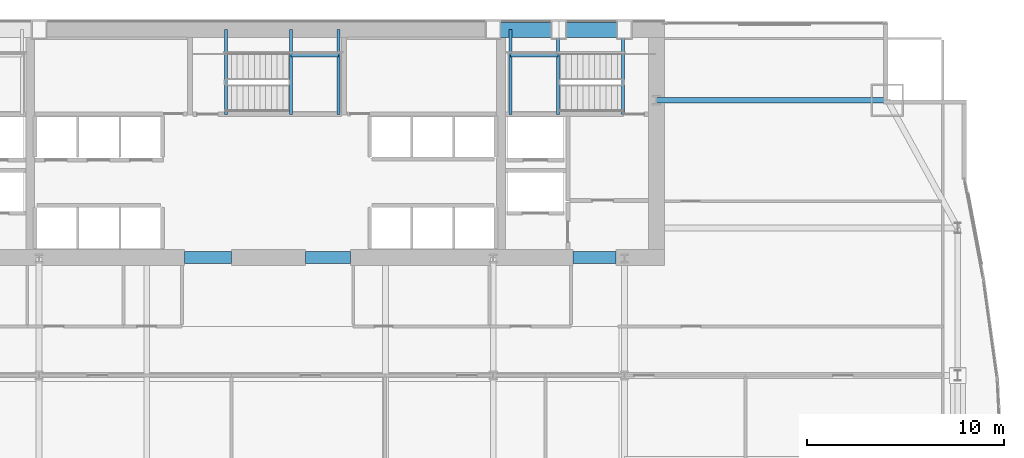
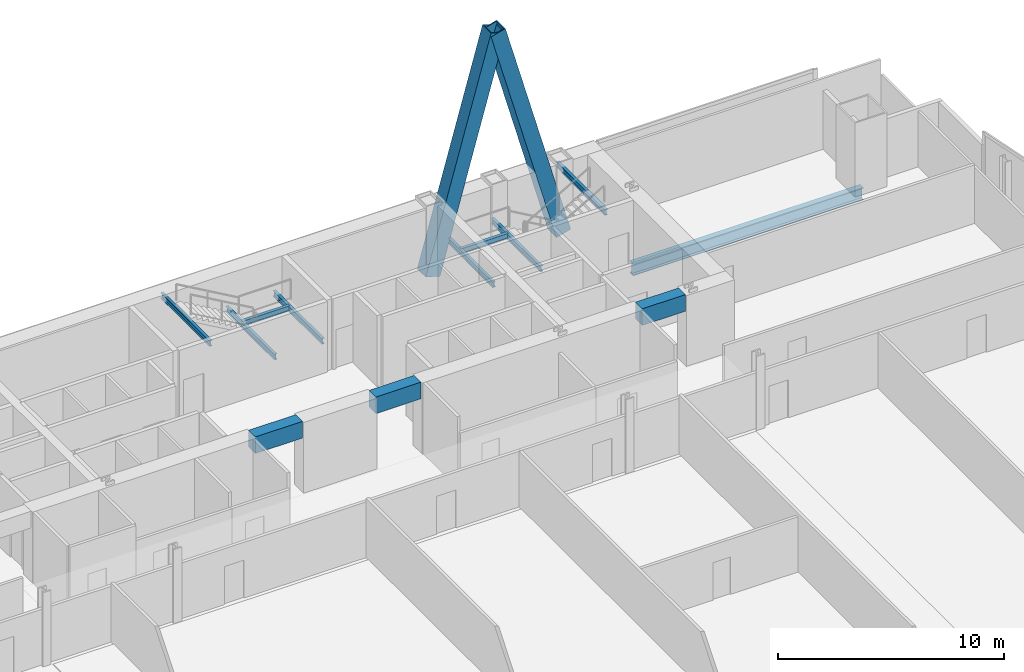
# One storey, part 19 of 37: 12 beams, 2 members.
"""IFC4 building model written with IfcOpenShell, lengths in metres."""

import ifcopenshell
import ifcopenshell.guid

model = None  # the IFC model being written
_history = None  # IfcOwnerHistory: only IFC2X3 demands one
_inside = {}  # id of a spatial element -> (the spatial element, [elements in it])
_under = {}  # id of a project, library or spatial element -> (it, [spatial elements below it])
_declared = {}  # id of a project -> (the project, [libraries it declares])
_typed = {}  # id of a type object -> (the type object, [elements of that type])
_made_of = {}  # id of a material, layer set ... -> (it, [elements and type objects made of it])


def new_model(schema):
    """Start an empty IFC model of exactly this schema.

    Asked for "IFC4X3", IfcOpenShell would pick the latest addendum, in which some entities
    have other attributes; the version numbers below select the first issue.
    IFC2X3 requires an IfcOwnerHistory on every rooted entity: one is made here for all.
    """
    global model, _history
    if schema == "IFC4X3":
        model = ifcopenshell.file(schema_version=(4, 3, 0, 0))
    else:
        model = ifcopenshell.file(schema=schema)
    _inside.clear()
    _under.clear()
    _declared.clear()
    _typed.clear()
    _made_of.clear()
    _history = None
    if model.schema == "IFC2X3":
        org = make("IfcOrganization", Name="unknown")
        user = make(
            "IfcPersonAndOrganization",
            ThePerson=make("IfcPerson", FamilyName="unknown"),
            TheOrganization=org,
        )
        app = make(
            "IfcApplication",
            ApplicationDeveloper=org,
            Version="unknown",
            ApplicationFullName="unknown",
            ApplicationIdentifier="unknown",
        )
        _history = make(
            "IfcOwnerHistory",
            OwningUser=user,
            OwningApplication=app,
            ChangeAction="ADDED",
            CreationDate=0,
        )
    return model


def make(cls, **values):
    """One entity of the class cls with the attributes given. An attribute that is None is left unset."""
    return model.create_entity(
        cls, **{name: value for name, value in values.items() if value is not None}
    )


def rooted(cls, **values):
    """An entity with a GlobalId (a new one), such as an element, a storey or a relation."""
    return make(cls, GlobalId=ifcopenshell.guid.new(), OwnerHistory=_history, **values)


def si_unit(unit_type, name, prefix=None):
    """IfcSIUnit, for example si_unit("LENGTHUNIT", "METRE", prefix="MILLI")."""
    return make("IfcSIUnit", UnitType=unit_type, Prefix=prefix, Name=name)


def assignment(units):
    """IfcUnitAssignment: the units of a project."""
    return None if units is None else make("IfcUnitAssignment", Units=units)


def point(xyz):
    """IfcCartesianPoint."""
    return None if xyz is None else make("IfcCartesianPoint", Coordinates=xyz)


def direction(xyz):
    """IfcDirection."""
    return None if xyz is None else make("IfcDirection", DirectionRatios=xyz)


def frame(location, z_axis=None, x_axis=None):
    """IfcAxis2Placement3D, a coordinate frame: its origin and axes. An axis left out is left unset."""
    return make(
        "IfcAxis2Placement3D",
        Location=point(location),
        Axis=direction(z_axis),
        RefDirection=direction(x_axis),
    )


def frame_2d(location, x_axis=None):
    """IfcAxis2Placement2D, a coordinate frame in the plane: its origin and x axis."""
    return make(
        "IfcAxis2Placement2D", Location=point(location), RefDirection=direction(x_axis)
    )


def origin():
    """The frame at (0, 0, 0) with its axes left unset."""
    return frame((0.0, 0.0, 0.0))


def origin_2d():
    """The frame at (0, 0) in the plane with its x axis left unset."""
    return frame_2d((0.0, 0.0))


def place(relative_to, where):
    """IfcLocalPlacement: puts the frame where relative to a parent placement (None: the world)."""
    return make(
        "IfcLocalPlacement", PlacementRelTo=relative_to, RelativePlacement=where
    )


def context(
    kind, dimensions, precision=None, world=None, true_north=None, identifier=None
):
    """IfcGeometricRepresentationContext, for example the 3D "Model" context."""
    return make(
        "IfcGeometricRepresentationContext",
        ContextIdentifier=identifier,
        ContextType=kind,
        CoordinateSpaceDimension=dimensions,
        Precision=precision,
        WorldCoordinateSystem=world,
        TrueNorth=true_north,
    )


def subcontext(parent, identifier, kind, view, scale=None):
    """IfcGeometricRepresentationSubContext, for example "Body" below "Model"."""
    return make(
        "IfcGeometricRepresentationSubContext",
        ContextIdentifier=identifier,
        ContextType=kind,
        ParentContext=parent,
        TargetScale=scale,
        TargetView=view,
    )


def project(units=None, contexts=None):
    """IfcProject with its units and contexts."""
    return rooted(
        "IfcProject",
        Name="project",
        RepresentationContexts=contexts,
        UnitsInContext=assignment(units),
    )


def spatial(cls, under=None, at=None, **own):
    """A site, building, storey or space (cls), placed at a placement, below another one or the project."""
    s = rooted(cls, ObjectPlacement=at, **own)
    if under is not None:
        _under.setdefault(under.id(), (under, []))[1].append(s)
    return s


def profile(cls, at=None, kind="AREA", **sizes):
    """A parametric profile (cls). Its sizes go by their IFC names, for example OverallWidth=200.0."""
    return make(cls, ProfileType=kind, Position=at, **sizes)


def rectangle(**sizes):
    """IfcRectangleProfileDef."""
    return profile("IfcRectangleProfileDef", **sizes)


def hollow_rectangle(**sizes):
    """IfcRectangleHollowProfileDef."""
    return profile("IfcRectangleHollowProfileDef", **sizes)


def i_section(**sizes):
    """IfcIShapeProfileDef."""
    return profile("IfcIShapeProfileDef", **sizes)


def extrude(swept, where, along, depth):
    """IfcExtrudedAreaSolid: the profile swept, set in the frame where, extruded along a direction by depth."""
    return make(
        "IfcExtrudedAreaSolid",
        SweptArea=swept,
        Position=where,
        ExtrudedDirection=direction(along),
        Depth=depth,
    )


def shape(context_of_items, identifier, shape_type, items):
    """IfcShapeRepresentation: the items that make up one representation, for example the "Body"."""
    return make(
        "IfcShapeRepresentation",
        ContextOfItems=context_of_items,
        RepresentationIdentifier=identifier,
        RepresentationType=shape_type,
        Items=items,
    )


def material(Name=None, Category=None):
    """IfcMaterial."""
    return make("IfcMaterial", Name=Name, Category=Category)


def material_profile(
    of_material, cross_section, Name=None, Category=None, Priority=None
):
    """IfcMaterialProfile: a cross section and its material."""
    return make(
        "IfcMaterialProfile",
        Name=Name,
        Material=of_material,
        Profile=cross_section,
        Priority=Priority,
        Category=Category,
    )


def profile_set(profiles, Name=None, composite=None):
    """IfcMaterialProfileSet."""
    return make(
        "IfcMaterialProfileSet",
        Name=Name,
        MaterialProfiles=profiles,
        CompositeProfile=composite,
    )


def made_of(thing, what):
    """Note that an element or type object is made of a material, layer set ...; save() writes the relation."""
    if what is not None:
        _made_of.setdefault(what.id(), (what, []))[1].append(thing)
    return thing


def type_object(cls, material=None, **own):
    """A type object (cls), such as IfcWallType, which elements share."""
    return made_of(rooted(cls, **own), material)


def element(
    cls,
    number,
    at=None,
    inside=None,
    cuts=None,
    type_object=None,
    material=None,
    context=None,
    identifier="Body",
    shape_type=None,
    held_by="IfcProductDefinitionShape",
    body=None,
    shapes=None,
    **own,
):
    """One element of the class cls, such as IfcWall. Its Tag is "e" and its number.

    at: its placement. inside: the storey or other place that contains it. cuts: it is an
    opening in that element (IfcRelVoidsElement). A single representation is given by context,
    identifier, shape_type and body (its items); several are given by shapes. held_by: the class
    of the entity that holds the representations. save() writes the other relations.
    """
    e = rooted(cls, Tag="e%d" % number, ObjectPlacement=at, **own)
    if body is not None:
        shapes = [shape(context, identifier, shape_type, body)]
    if shapes is not None:
        e.Representation = make(held_by, Representations=shapes)
    if inside is not None:
        _inside.setdefault(inside.id(), (inside, []))[1].append(e)
    if cuts is not None:
        rooted(
            "IfcRelVoidsElement", RelatingBuildingElement=cuts, RelatedOpeningElement=e
        )
    if type_object is not None:
        _typed.setdefault(type_object.id(), (type_object, []))[1].append(e)
    return made_of(e, material)


def aggregate(whole, parts):
    """IfcRelAggregates: a whole, such as a stair, and the parts it consists of."""
    return rooted("IfcRelAggregates", RelatingObject=whole, RelatedObjects=parts)


def save(model, path):
    """Write the relations noted so far, then the file.

    IfcRelAggregates (storeys below a building ...), IfcRelContainedInSpatialStructure (elements
    in a storey), IfcRelDefinesByType, IfcRelAssociatesMaterial and IfcRelDeclares: one each for
    every whole, place, type object, material and project.
    """
    for whole, parts in _under.values():
        aggregate(whole, parts)
    for where, things in _inside.values():
        rooted(
            "IfcRelContainedInSpatialStructure",
            RelatedElements=things,
            RelatingStructure=where,
        )
    for kind, things in _typed.values():
        rooted("IfcRelDefinesByType", RelatedObjects=things, RelatingType=kind)
    for what, things in _made_of.values():
        rooted("IfcRelAssociatesMaterial", RelatedObjects=things, RelatingMaterial=what)
    for by, libraries in _declared.values():
        rooted("IfcRelDeclares", RelatingContext=by, RelatedDefinitions=libraries)
    model.write(path)


model = new_model("IFC4")

# Units and contexts
model_context = context("Model", 3, precision=1e-05, world=origin(), true_north=direction((0.0, 1.0)))
body_context = subcontext(model_context, "Body", "Model", "MODEL_VIEW")
ifc_project = project(units=[si_unit("LENGTHUNIT", "METRE"), si_unit("AREAUNIT", "SQUARE_METRE"), si_unit("VOLUMEUNIT", "CUBIC_METRE"), si_unit("PLANEANGLEUNIT", "RADIAN"), si_unit("MASSUNIT", "GRAM", prefix="KILO")], contexts=[model_context])

# Site, building, storey
site_placement = place(None, origin())
site = spatial("IfcSite", under=ifc_project, at=site_placement, CompositionType="ELEMENT")
building_placement = place(site_placement, origin())
building = spatial("IfcBuilding", under=site, at=building_placement, Name="Khoronbel Lancet Exchange", CompositionType="ELEMENT")
storey_placement = place(building_placement, frame((0.0, 0.0, 61.800048828125)))
storey = spatial("IfcBuildingStorey", under=building, at=storey_placement, Name="L14", CompositionType="ELEMENT", Elevation=61.800048828125)

# Beams
ifc_material_1 = material(Name="Steel S355", Category="steel")
ifc_material_profile_1 = material_profile(ifc_material_1, i_section(OverallWidth=0.14990234375, OverallDepth=0.300048828125, WebThickness=0.007080078125, FlangeThickness=0.0107421875, at=origin_2d()), Name="IPE 300")
ifc_profile_set_1 = profile_set([ifc_material_profile_1], Name="Steel S355")
beam_type_1 = type_object("IfcBeamType", Name="BM-BJ8", PredefinedType="JOIST", material=ifc_profile_set_1)
for number, where, z_axis, x_axis, name in (
    (1, (51.2900390625, 48.97998046875, 1.64990234375), (0.0, 1.0, 0.0), (-1.0, 0.0, 0.0), "Level L14 stair ST2 landing bearer beam 1"),
    (2, (48.8701171875, 48.97998046875, 1.64990234375), (0.0, 1.0, 0.0), (-1.0, 0.0, 0.0), "Level L14 stair ST2 rear landing bearer beam 1"),
):
    element("IfcBeam", number, at=place(storey_placement, frame(where, z_axis=z_axis, x_axis=x_axis)), inside=storey, type_object=beam_type_1, Name=name, PredefinedType="JOIST", context=body_context, shape_type="SweptSolid", body=[
        extrude(i_section(OverallWidth=0.14990234375, OverallDepth=0.300048828125, WebThickness=0.007080078125, FlangeThickness=0.0107421875, at=origin_2d()), origin(), (0.0, 0.0, 1.0), 4.320068359375),
    ])
beam_1_placement = place(storey_placement, frame((48.8701171875, 51.97998046875, 1.64990234375), z_axis=(1.0, 0.0, 0.0), x_axis=(0.0, 1.0, 0.0)))
element("IfcBeam", 3, at=beam_1_placement, inside=storey, type_object=beam_type_1, Name="Level L14 stair ST2 landing cross trimmer beam 1", PredefinedType="JOIST", context=body_context, shape_type="SweptSolid", body=[
    extrude(i_section(OverallWidth=0.14990234375, OverallDepth=0.300048828125, WebThickness=0.007080078125, FlangeThickness=0.0107421875, at=origin_2d()), origin(), (0.0, 0.0, 1.0), 2.419921875),
])
for number, where, z_axis, x_axis, name in (
    (4, (54.60009765625, 48.97998046875, 3.5400390625), (0.0, 1.0, 0.0), (-1.0, 0.0, 0.0), "Level L14 stair ST2 upper-flight arrival trimmer beam"),
    (5, (37.7099609375, 48.97998046875, 1.64990234375), (0.0, 1.0, 0.0), (-1.0, 0.0, 0.0), "Level L14 stair ST3 landing bearer beam 1"),
    (6, (40.1298828125, 48.97998046875, 1.64990234375), (0.0, 1.0, 0.0), (-1.0, 0.0, 0.0), "Level L14 stair ST3 rear landing bearer beam 1"),
):
    element("IfcBeam", number, at=place(storey_placement, frame(where, z_axis=z_axis, x_axis=x_axis)), inside=storey, type_object=beam_type_1, Name=name, PredefinedType="JOIST", context=body_context, shape_type="SweptSolid", body=[
        extrude(i_section(OverallWidth=0.14990234375, OverallDepth=0.300048828125, WebThickness=0.007080078125, FlangeThickness=0.0107421875, at=origin_2d()), origin(), (0.0, 0.0, 1.0), 4.320068359375),
    ])
beam_2_placement = place(storey_placement, frame((37.7099609375, 51.97998046875, 1.64990234375), z_axis=(1.0, 0.0, 0.0), x_axis=(0.0, 1.0, 0.0)))
element("IfcBeam", 7, at=beam_2_placement, inside=storey, type_object=beam_type_1, Name="Level L14 stair ST3 landing cross trimmer beam 1", PredefinedType="JOIST", context=body_context, shape_type="SweptSolid", body=[
    extrude(i_section(OverallWidth=0.14990234375, OverallDepth=0.300048828125, WebThickness=0.007080078125, FlangeThickness=0.0107421875, at=origin_2d()), origin(), (0.0, 0.0, 1.0), 2.419921875),
])
beam_3_placement = place(storey_placement, frame((34.39990234375, 48.97998046875, 3.5400390625), z_axis=(0.0, 1.0, 0.0), x_axis=(-1.0, 0.0, 0.0)))
element("IfcBeam", 8, at=beam_3_placement, inside=storey, type_object=beam_type_1, Name="Level L14 stair ST3 upper-flight arrival trimmer beam", PredefinedType="JOIST", context=body_context, shape_type="SweptSolid", body=[
    extrude(i_section(OverallWidth=0.14990234375, OverallDepth=0.300048828125, WebThickness=0.007080078125, FlangeThickness=0.0107421875, at=origin_2d()), origin(), (0.0, 0.0, 1.0), 4.320068359375),
])
ifc_material_2 = material(Name="Concrete C80/95", Category="concrete")
ifc_material_profile_2 = material_profile(ifc_material_2, rectangle(XDim=0.60009765625, YDim=0.89990234375, at=origin_2d()), Name="RC 600x900")
ifc_profile_set_2 = profile_set([ifc_material_profile_2], Name="Concrete C80/95")
beam_type_2 = type_object("IfcBeamType", Name="BM-BL1", PredefinedType="LINTEL", material=ifc_profile_set_2)
beam_4_placement = place(storey_placement, frame((32.300048828125, 41.699951171875, 3.369873046875), z_axis=(1.0, 0.0, 0.0), x_axis=(0.0, 1.0, 0.0)))
element("IfcBeam", 9, at=beam_4_placement, inside=storey, type_object=beam_type_2, Name="Level L14 rear core coupling lintel L2", PredefinedType="LINTEL", context=body_context, shape_type="SweptSolid", body=[
    extrude(rectangle(XDim=0.60009765625, YDim=0.89990234375, at=origin_2d()), origin(), (0.0, 0.0, 1.0), 2.39990234375),
])
beam_5_placement = place(storey_placement, frame((38.449951171875, 41.699951171875, 3.369873046875), z_axis=(1.0, 0.0, 0.0), x_axis=(0.0, 1.0, 0.0)))
element("IfcBeam", 10, at=beam_5_placement, inside=storey, type_object=beam_type_2, Name="Level L14 rear core coupling lintel L3", PredefinedType="LINTEL", context=body_context, shape_type="SweptSolid", body=[
    extrude(rectangle(XDim=0.60009765625, YDim=0.89990234375, at=origin_2d()), origin(), (0.0, 0.0, 1.0), 2.300048828125),
])
beam_6_placement = place(storey_placement, frame((52.050048828125, 41.699951171875, 3.369873046875), z_axis=(1.0, 0.0, 0.0), x_axis=(0.0, 1.0, 0.0)))
element("IfcBeam", 11, at=beam_6_placement, inside=storey, type_object=beam_type_2, Name="Level L14 rear core coupling lintel L4", PredefinedType="LINTEL", context=body_context, shape_type="SweptSolid", body=[
    extrude(rectangle(XDim=0.60009765625, YDim=0.89990234375, at=origin_2d()), origin(), (0.0, 0.0, 1.0), 2.199951171875),
])
ifc_material_profile_3 = material_profile(ifc_material_1, i_section(OverallWidth=0.300048828125, OverallDepth=0.64990234375, WebThickness=0.01611328125, FlangeThickness=0.031005859375, at=origin_2d()), Name="HEB 650")
ifc_profile_set_3 = profile_set([ifc_material_profile_3], Name="Steel S355")
beam_type_3 = type_object("IfcBeamType", Name="BM-BSP1", PredefinedType="SPANDREL", material=ifc_profile_set_3)
beam_7_placement = place(storey_placement, frame((68.050048828125, 49.699951171875, -0.505126953125), z_axis=(-1.0, 0.0, 0.0), x_axis=(0.0, -1.0, 0.0)))
element("IfcBeam", 12, at=beam_7_placement, inside=storey, type_object=beam_type_3, Name="Level L14 north flank tie spandrel SP23", PredefinedType="SPANDREL", context=body_context, shape_type="SweptSolid", body=[
    extrude(i_section(OverallWidth=0.300048828125, OverallDepth=0.64990234375, WebThickness=0.01611328125, FlangeThickness=0.031005859375, at=origin_2d()), origin(), (0.0, 0.0, 1.0), 11.75),
])

# Members
ifc_material_3 = material(Name="Steel S460", Category="steel")
ifc_material_profile_4 = material_profile(ifc_material_3, hollow_rectangle(XDim=0.760009765625, YDim=0.760009765625, WallThickness=0.054931640625, at=origin_2d()), Name="BOX 760x760x55")
ifc_profile_set_4 = profile_set([ifc_material_profile_4], Name="Steel S460")
member_type = type_object("IfcMemberType", Name="MEM-MB1", PredefinedType="BRACE", material=ifc_profile_set_4)
for number, where, z_axis, x_axis, name in (
    (13, (48.0, 53.280029296875, 0.0), (0.267947134133, 0.0, 0.963433616452), (0.0, 1.0, 0.0), "Perimeter lancet brace tier 4 N-E-L"),
    (14, (54.675048828125, 53.280029296875, 0.0), (-0.267965327822, 0.0, 0.963428556295), (0.0, -1.0, 0.0), "Perimeter lancet brace tier 4 N-E-R"),
):
    element("IfcMember", number, at=place(storey_placement, frame(where, z_axis=z_axis, x_axis=x_axis)), inside=storey, type_object=member_type, Name=name, PredefinedType="BRACE", context=body_context, shape_type="SweptSolid", body=[
        extrude(hollow_rectangle(XDim=0.760009765625, YDim=0.760009765625, WallThickness=0.054931640625, at=origin_2d()), origin(), (0.0, 0.0, 1.0), 12.45556640625),
    ])

save(model, "model.ifc")
